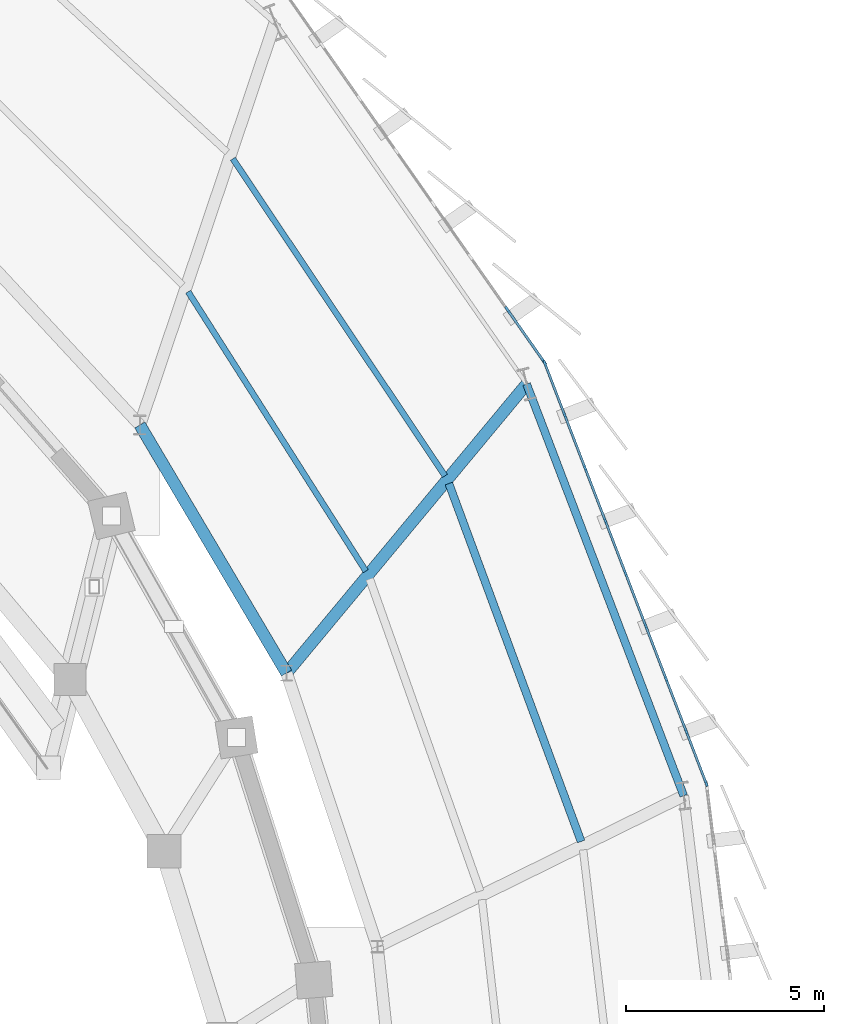
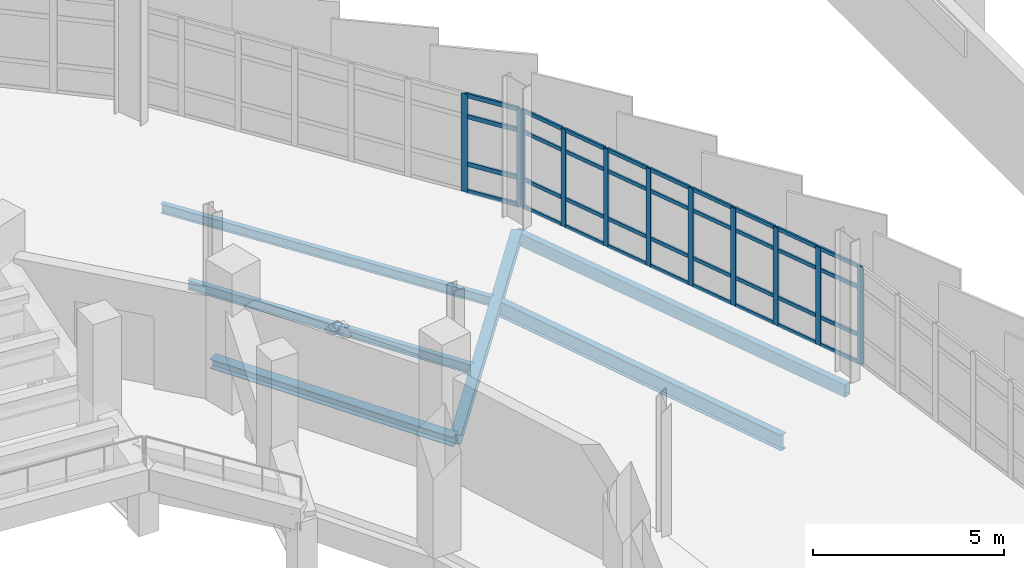
# One storey, part 68 of 120: 47 members, 6 beams, 2 elements without a shape of their own.
"""IFC4 building model written with IfcOpenShell, lengths in metres."""

from ifc_helpers import new_model, si_unit, direction, frame, origin, origin_2d, place, context, subcontext, project, spatial, rectangle, hollow_rectangle, i_section, extrude, material, layer, layer_set, material_profile, profile_set, type_object, element, aggregate, save


model = new_model("IFC4")

# Units and contexts
model_context = context("Model", 3, precision=1e-05, world=origin(), true_north=direction((0.0, 1.0)))
body_context = subcontext(model_context, "Body", "Model", "MODEL_VIEW")
ifc_project = project(units=[si_unit("LENGTHUNIT", "METRE"), si_unit("AREAUNIT", "SQUARE_METRE"), si_unit("VOLUMEUNIT", "CUBIC_METRE"), si_unit("PLANEANGLEUNIT", "RADIAN"), si_unit("MASSUNIT", "GRAM", prefix="KILO")], contexts=[model_context])

# Site, building, storey
site_placement = place(None, origin())
site = spatial("IfcSite", under=ifc_project, at=site_placement, CompositionType="ELEMENT")
building_placement = place(site_placement, origin())
building = spatial("IfcBuilding", under=site, at=building_placement, Name="Sohan Crest Arena", CompositionType="ELEMENT")
storey_placement = place(building_placement, frame((0.0, 0.0, 13.5)))
storey = spatial("IfcBuildingStorey", under=building, at=storey_placement, Name="L03", CompositionType="ELEMENT", Elevation=13.5)

# Curtain wall, members
ifc_material_1 = material(Name="Thermally broken anodised aluminium", Category="aluminium")
ifc_layer_1 = layer(ifc_material_1, 0.179931640625, Name="Thermally broken anodised aluminium")
ifc_layer_set_1 = layer_set([ifc_layer_1], Name="Thermally broken anodised aluminium")
curtain_wall_type_1 = type_object("IfcCurtainWallType", Name="ARC-CW01", PredefinedType="NOTDEFINED", material=ifc_layer_set_1)
curtain_wall_1_placement = place(storey_placement, origin())
curtain_wall_1 = element("IfcCurtainWall", 1, at=curtain_wall_1_placement, inside=storey, type_object=curtain_wall_type_1, Name="Unitised curtain wall CW-102", PredefinedType="NOTDEFINED")
ifc_material_profile_1 = material_profile(ifc_material_1, rectangle(XDim=0.06005859375, YDim=0.159912109375, at=origin_2d()), Name="ALU-MULL 60x160")
ifc_profile_set_1 = profile_set([ifc_material_profile_1], Name="Thermally broken anodised aluminium")
member_type_1 = type_object("IfcMemberType", Name="ARC-CW-ML01", PredefinedType="MULLION", material=ifc_profile_set_1)
member_1_placement = place(storey_placement, frame((187.295166015625, 89.382080078125, 0.0), z_axis=(0.0, 0.0, 1.0), x_axis=(-0.93347171007, -0.35865103722, 0.0)))
member_1 = element("IfcMember", 2, at=member_1_placement, type_object=member_type_1, Name="CW-102 mullion 1", PredefinedType="MULLION", context=body_context, shape_type="SweptSolid", body=[
    extrude(rectangle(XDim=0.06005859375, YDim=0.159912109375, at=origin_2d()), origin(), (0.0, 0.0, 1.0), 3.1201171875),
])
member_2_placement = place(storey_placement, frame((186.793212890625, 90.68896484375, 0.0), z_axis=(0.0, 0.0, 1.0), x_axis=(-0.93347171007, -0.35865103722, 0.0)))
member_2 = element("IfcMember", 3, at=member_2_placement, type_object=member_type_1, Name="CW-102 mullion 2", PredefinedType="MULLION", context=body_context, shape_type="SweptSolid", body=[
    extrude(rectangle(XDim=0.06005859375, YDim=0.159912109375, at=origin_2d()), origin(), (0.0, 0.0, 1.0), 3.1201171875),
])
member_3_placement = place(storey_placement, frame((186.2802734375, 92.023681640625, 0.0), z_axis=(0.0, 0.0, 1.0), x_axis=(-0.93347171007, -0.35865103722, 0.0)))
member_3 = element("IfcMember", 4, at=member_3_placement, type_object=member_type_1, Name="CW-102 mullion 3", PredefinedType="MULLION", context=body_context, shape_type="SweptSolid", body=[
    extrude(rectangle(XDim=0.06005859375, YDim=0.159912109375, at=origin_2d()), origin(), (0.0, 0.0, 1.0), 3.1201171875),
])
member_4_placement = place(storey_placement, frame((185.767333984375, 93.358642578125, 0.0), z_axis=(0.0, 0.0, 1.0), x_axis=(-0.93347171007, -0.35865103722, 0.0)))
member_4 = element("IfcMember", 5, at=member_4_placement, type_object=member_type_1, Name="CW-102 mullion 4", PredefinedType="MULLION", context=body_context, shape_type="SweptSolid", body=[
    extrude(rectangle(XDim=0.06005859375, YDim=0.159912109375, at=origin_2d()), origin(), (0.0, 0.0, 1.0), 3.1201171875),
])
member_5_placement = place(storey_placement, frame((185.25439453125, 94.693603515625, 0.0), z_axis=(0.0, 0.0, 1.0), x_axis=(-0.93347171007, -0.35865103722, 0.0)))
member_5 = element("IfcMember", 6, at=member_5_placement, type_object=member_type_1, Name="CW-102 mullion 5", PredefinedType="MULLION", context=body_context, shape_type="SweptSolid", body=[
    extrude(rectangle(XDim=0.06005859375, YDim=0.159912109375, at=origin_2d()), origin(), (0.0, 0.0, 1.0), 3.1201171875),
])
member_6_placement = place(storey_placement, frame((184.74169921875, 96.0283203125, 0.0), z_axis=(0.0, 0.0, 1.0), x_axis=(-0.93347171007, -0.35865103722, 0.0)))
member_6 = element("IfcMember", 7, at=member_6_placement, type_object=member_type_1, Name="CW-102 mullion 6", PredefinedType="MULLION", context=body_context, shape_type="SweptSolid", body=[
    extrude(rectangle(XDim=0.06005859375, YDim=0.159912109375, at=origin_2d()), origin(), (0.0, 0.0, 1.0), 3.1201171875),
])
member_7_placement = place(storey_placement, frame((184.228759765625, 97.36328125, 0.0), z_axis=(0.0, 0.0, 1.0), x_axis=(-0.93347171007, -0.35865103722, 0.0)))
member_7 = element("IfcMember", 8, at=member_7_placement, type_object=member_type_1, Name="CW-102 mullion 7", PredefinedType="MULLION", context=body_context, shape_type="SweptSolid", body=[
    extrude(rectangle(XDim=0.06005859375, YDim=0.159912109375, at=origin_2d()), origin(), (0.0, 0.0, 1.0), 3.1201171875),
])
member_8_placement = place(storey_placement, frame((183.7158203125, 98.6982421875, 0.0), z_axis=(0.0, 0.0, 1.0), x_axis=(-0.93347171007, -0.35865103722, 0.0)))
member_8 = element("IfcMember", 9, at=member_8_placement, type_object=member_type_1, Name="CW-102 mullion 8", PredefinedType="MULLION", context=body_context, shape_type="SweptSolid", body=[
    extrude(rectangle(XDim=0.06005859375, YDim=0.159912109375, at=origin_2d()), origin(), (0.0, 0.0, 1.0), 3.1201171875),
])
member_9_placement = place(storey_placement, frame((183.2138671875, 100.0048828125, 0.0), z_axis=(0.0, 0.0, 1.0), x_axis=(-0.93347171007, -0.35865103722, 0.0)))
member_9 = element("IfcMember", 10, at=member_9_placement, type_object=member_type_1, Name="CW-102 mullion 9", PredefinedType="MULLION", context=body_context, shape_type="SweptSolid", body=[
    extrude(rectangle(XDim=0.06005859375, YDim=0.159912109375, at=origin_2d()), origin(), (0.0, 0.0, 1.0), 3.1201171875),
])

ifc_layer_2 = layer(ifc_material_1, 0.199951171875, Name="Thermally broken anodised aluminium")
ifc_layer_set_2 = layer_set([ifc_layer_2], Name="Thermally broken anodised aluminium")
curtain_wall_type_2 = type_object("IfcCurtainWallType", Name="ARC-CW02", PredefinedType="NOTDEFINED", material=ifc_layer_set_2)
curtain_wall_2_placement = place(storey_placement, origin())
curtain_wall_2 = element("IfcCurtainWall", 11, at=curtain_wall_2_placement, inside=storey, type_object=curtain_wall_type_2, Name="Unitised curtain wall CW-103", PredefinedType="NOTDEFINED")
ifc_material_profile_2 = material_profile(ifc_material_1, rectangle(XDim=0.06494140625, YDim=0.179931640625, at=origin_2d()), Name="ALU-MULL 65x180")
ifc_profile_set_2 = profile_set([ifc_material_profile_2], Name="Thermally broken anodised aluminium")
member_type_2 = type_object("IfcMemberType", Name="ARC-CW-ML02", PredefinedType="MULLION", material=ifc_profile_set_2)
member_10_placement = place(storey_placement, frame((183.184326171875, 100.0595703125, 0.0), z_axis=(0.0, 0.0, 1.0), x_axis=(-0.818899102687, -0.573937504976, 0.0)))
member_10 = element("IfcMember", 12, at=member_10_placement, type_object=member_type_2, Name="CW-103 mullion 1", PredefinedType="MULLION", context=body_context, shape_type="SweptSolid", body=[
    extrude(rectangle(XDim=0.06494140625, YDim=0.179931640625, at=origin_2d()), origin(), (0.0, 0.0, 1.0), 3.1201171875),
])
member_11_placement = place(storey_placement, frame((182.26513671875, 101.37109375, 0.0), z_axis=(0.0, 0.0, 1.0), x_axis=(-0.818899102687, -0.573937504976, 0.0)))
member_11 = element("IfcMember", 13, at=member_11_placement, type_object=member_type_2, Name="CW-103 mullion 2", PredefinedType="MULLION", context=body_context, shape_type="SweptSolid", body=[
    extrude(rectangle(XDim=0.06494140625, YDim=0.179931640625, at=origin_2d()), origin(), (0.0, 0.0, 1.0), 3.1201171875),
])

# Member
ifc_material_profile_3 = material_profile(ifc_material_1, rectangle(XDim=0.06005859375, YDim=0.1201171875, at=origin_2d()), Name="ALU-TRAN 60x120")
ifc_profile_set_3 = profile_set([ifc_material_profile_3], Name="Thermally broken anodised aluminium")
member_type_3 = type_object("IfcMemberType", Name="ARC-CW-TR01", PredefinedType="USERDEFINED", material=ifc_profile_set_3)
member_12_placement = place(storey_placement, frame((187.284423828125, 89.409912109375, 0.030029296875), z_axis=(-0.358539542334, 0.933514540102, 0.0), x_axis=(-0.933514540102, -0.358539542334, 0.0)))
member_12 = element("IfcMember", 14, at=member_12_placement, type_object=member_type_3, Name="CW-102 transom 1.1", ObjectType="TRANSOM", PredefinedType="USERDEFINED", context=body_context, shape_type="SweptSolid", body=[
    extrude(rectangle(XDim=0.06005859375, YDim=0.1201171875, at=origin_2d()), origin(), (0.0, 0.0, 1.0), 1.340087890625),
])

member_13_placement = place(storey_placement, frame((187.284423828125, 89.409912109375, 0.89990234375), z_axis=(-0.358539542334, 0.933514540102, 0.0), x_axis=(-0.933514540102, -0.358539542334, 0.0)))
member_13 = element("IfcMember", 15, at=member_13_placement, type_object=member_type_3, Name="CW-102 transom 1.2", ObjectType="TRANSOM", PredefinedType="USERDEFINED", context=body_context, shape_type="SweptSolid", body=[
    extrude(rectangle(XDim=0.06005859375, YDim=0.1201171875, at=origin_2d()), origin(), (0.0, 0.0, 1.0), 1.340087890625),
])

member_14_placement = place(storey_placement, frame((187.284423828125, 89.409912109375, 2.419921875), z_axis=(-0.358539542334, 0.933514540102, 0.0), x_axis=(-0.933514540102, -0.358539542334, 0.0)))
member_14 = element("IfcMember", 16, at=member_14_placement, type_object=member_type_3, Name="CW-102 transom 1.3", ObjectType="TRANSOM", PredefinedType="USERDEFINED", context=body_context, shape_type="SweptSolid", body=[
    extrude(rectangle(XDim=0.06005859375, YDim=0.1201171875, at=origin_2d()), origin(), (0.0, 0.0, 1.0), 1.340087890625),
])

member_15_placement = place(storey_placement, frame((187.284423828125, 89.409912109375, 3.090087890625), z_axis=(-0.358539542334, 0.933514540102, 0.0), x_axis=(-0.933514540102, -0.358539542334, 0.0)))
member_15 = element("IfcMember", 17, at=member_15_placement, type_object=member_type_3, Name="CW-102 transom 1.4", ObjectType="TRANSOM", PredefinedType="USERDEFINED", context=body_context, shape_type="SweptSolid", body=[
    extrude(rectangle(XDim=0.06005859375, YDim=0.1201171875, at=origin_2d()), origin(), (0.0, 0.0, 1.0), 1.340087890625),
])

member_16_placement = place(storey_placement, frame((186.782470703125, 90.716796875, 0.030029296875), z_axis=(-0.358668628808, 0.933464950981, 0.0), x_axis=(-0.933464950981, -0.358668628808, 0.0)))
member_16 = element("IfcMember", 18, at=member_16_placement, type_object=member_type_3, Name="CW-102 transom 2.1", ObjectType="TRANSOM", PredefinedType="USERDEFINED", context=body_context, shape_type="SweptSolid", body=[
    extrude(rectangle(XDim=0.06005859375, YDim=0.1201171875, at=origin_2d()), origin(), (0.0, 0.0, 1.0), 1.3701171875),
])

member_17_placement = place(storey_placement, frame((186.782470703125, 90.716796875, 0.89990234375), z_axis=(-0.358668628808, 0.933464950981, 0.0), x_axis=(-0.933464950981, -0.358668628808, 0.0)))
member_17 = element("IfcMember", 19, at=member_17_placement, type_object=member_type_3, Name="CW-102 transom 2.2", ObjectType="TRANSOM", PredefinedType="USERDEFINED", context=body_context, shape_type="SweptSolid", body=[
    extrude(rectangle(XDim=0.06005859375, YDim=0.1201171875, at=origin_2d()), origin(), (0.0, 0.0, 1.0), 1.3701171875),
])

member_18_placement = place(storey_placement, frame((186.782470703125, 90.716796875, 2.419921875), z_axis=(-0.358668628808, 0.933464950981, 0.0), x_axis=(-0.933464950981, -0.358668628808, 0.0)))
member_18 = element("IfcMember", 20, at=member_18_placement, type_object=member_type_3, Name="CW-102 transom 2.3", ObjectType="TRANSOM", PredefinedType="USERDEFINED", context=body_context, shape_type="SweptSolid", body=[
    extrude(rectangle(XDim=0.06005859375, YDim=0.1201171875, at=origin_2d()), origin(), (0.0, 0.0, 1.0), 1.3701171875),
])

member_19_placement = place(storey_placement, frame((186.782470703125, 90.716796875, 3.090087890625), z_axis=(-0.358668628808, 0.933464950981, 0.0), x_axis=(-0.933464950981, -0.358668628808, 0.0)))
member_19 = element("IfcMember", 21, at=member_19_placement, type_object=member_type_3, Name="CW-102 transom 2.4", ObjectType="TRANSOM", PredefinedType="USERDEFINED", context=body_context, shape_type="SweptSolid", body=[
    extrude(rectangle(XDim=0.06005859375, YDim=0.1201171875, at=origin_2d()), origin(), (0.0, 0.0, 1.0), 1.3701171875),
])

member_20_placement = place(storey_placement, frame((186.26953125, 92.0517578125, 0.030029296875), z_axis=(-0.358728292198, 0.933442024111, 0.0), x_axis=(-0.933442024111, -0.358728292198, 0.0)))
member_20 = element("IfcMember", 22, at=member_20_placement, type_object=member_type_3, Name="CW-102 transom 3.1", ObjectType="TRANSOM", PredefinedType="USERDEFINED", context=body_context, shape_type="SweptSolid", body=[
    extrude(rectangle(XDim=0.06005859375, YDim=0.1201171875, at=origin_2d()), origin(), (0.0, 0.0, 1.0), 1.369873046875),
])

member_21_placement = place(storey_placement, frame((186.26953125, 92.0517578125, 0.89990234375), z_axis=(-0.358728292198, 0.933442024111, 0.0), x_axis=(-0.933442024111, -0.358728292198, 0.0)))
member_21 = element("IfcMember", 23, at=member_21_placement, type_object=member_type_3, Name="CW-102 transom 3.2", ObjectType="TRANSOM", PredefinedType="USERDEFINED", context=body_context, shape_type="SweptSolid", body=[
    extrude(rectangle(XDim=0.06005859375, YDim=0.1201171875, at=origin_2d()), origin(), (0.0, 0.0, 1.0), 1.369873046875),
])

member_22_placement = place(storey_placement, frame((186.26953125, 92.0517578125, 2.419921875), z_axis=(-0.358728292198, 0.933442024111, 0.0), x_axis=(-0.933442024111, -0.358728292198, 0.0)))
member_22 = element("IfcMember", 24, at=member_22_placement, type_object=member_type_3, Name="CW-102 transom 3.3", ObjectType="TRANSOM", PredefinedType="USERDEFINED", context=body_context, shape_type="SweptSolid", body=[
    extrude(rectangle(XDim=0.06005859375, YDim=0.1201171875, at=origin_2d()), origin(), (0.0, 0.0, 1.0), 1.369873046875),
])

member_23_placement = place(storey_placement, frame((186.26953125, 92.0517578125, 3.090087890625), z_axis=(-0.358728292198, 0.933442024111, 0.0), x_axis=(-0.933442024111, -0.358728292198, 0.0)))
member_23 = element("IfcMember", 25, at=member_23_placement, type_object=member_type_3, Name="CW-102 transom 3.4", ObjectType="TRANSOM", PredefinedType="USERDEFINED", context=body_context, shape_type="SweptSolid", body=[
    extrude(rectangle(XDim=0.06005859375, YDim=0.1201171875, at=origin_2d()), origin(), (0.0, 0.0, 1.0), 1.369873046875),
])

member_24_placement = place(storey_placement, frame((185.756591796875, 93.38671875, 0.030029296875), z_axis=(-0.358573004092, 0.933501687592, 0.0), x_axis=(-0.933501687592, -0.358573004092, 0.0)))
member_24 = element("IfcMember", 26, at=member_24_placement, type_object=member_type_3, Name="CW-102 transom 4.1", ObjectType="TRANSOM", PredefinedType="USERDEFINED", context=body_context, shape_type="SweptSolid", body=[
    extrude(rectangle(XDim=0.06005859375, YDim=0.1201171875, at=origin_2d()), origin(), (0.0, 0.0, 1.0), 1.369873046875),
])

member_25_placement = place(storey_placement, frame((185.756591796875, 93.38671875, 0.89990234375), z_axis=(-0.358573004092, 0.933501687592, 0.0), x_axis=(-0.933501687592, -0.358573004092, 0.0)))
member_25 = element("IfcMember", 27, at=member_25_placement, type_object=member_type_3, Name="CW-102 transom 4.2", ObjectType="TRANSOM", PredefinedType="USERDEFINED", context=body_context, shape_type="SweptSolid", body=[
    extrude(rectangle(XDim=0.06005859375, YDim=0.1201171875, at=origin_2d()), origin(), (0.0, 0.0, 1.0), 1.369873046875),
])

member_26_placement = place(storey_placement, frame((185.756591796875, 93.38671875, 2.419921875), z_axis=(-0.358573004092, 0.933501687592, 0.0), x_axis=(-0.933501687592, -0.358573004092, 0.0)))
member_26 = element("IfcMember", 28, at=member_26_placement, type_object=member_type_3, Name="CW-102 transom 4.3", ObjectType="TRANSOM", PredefinedType="USERDEFINED", context=body_context, shape_type="SweptSolid", body=[
    extrude(rectangle(XDim=0.06005859375, YDim=0.1201171875, at=origin_2d()), origin(), (0.0, 0.0, 1.0), 1.369873046875),
])

member_27_placement = place(storey_placement, frame((185.756591796875, 93.38671875, 3.090087890625), z_axis=(-0.358573004092, 0.933501687592, 0.0), x_axis=(-0.933501687592, -0.358573004092, 0.0)))
member_27 = element("IfcMember", 29, at=member_27_placement, type_object=member_type_3, Name="CW-102 transom 4.4", ObjectType="TRANSOM", PredefinedType="USERDEFINED", context=body_context, shape_type="SweptSolid", body=[
    extrude(rectangle(XDim=0.06005859375, YDim=0.1201171875, at=origin_2d()), origin(), (0.0, 0.0, 1.0), 1.369873046875),
])

member_28_placement = place(storey_placement, frame((185.24365234375, 94.721435546875, 0.030029296875), z_axis=(-0.358513358907, 0.93352459608, 0.0), x_axis=(-0.93352459608, -0.358513358907, 0.0)))
member_28 = element("IfcMember", 30, at=member_28_placement, type_object=member_type_3, Name="CW-102 transom 5.1", ObjectType="TRANSOM", PredefinedType="USERDEFINED", context=body_context, shape_type="SweptSolid", body=[
    extrude(rectangle(XDim=0.06005859375, YDim=0.1201171875, at=origin_2d()), origin(), (0.0, 0.0, 1.0), 1.3701171875),
])

member_29_placement = place(storey_placement, frame((185.24365234375, 94.721435546875, 0.89990234375), z_axis=(-0.358513358907, 0.93352459608, 0.0), x_axis=(-0.93352459608, -0.358513358907, 0.0)))
member_29 = element("IfcMember", 31, at=member_29_placement, type_object=member_type_3, Name="CW-102 transom 5.2", ObjectType="TRANSOM", PredefinedType="USERDEFINED", context=body_context, shape_type="SweptSolid", body=[
    extrude(rectangle(XDim=0.06005859375, YDim=0.1201171875, at=origin_2d()), origin(), (0.0, 0.0, 1.0), 1.3701171875),
])

member_30_placement = place(storey_placement, frame((185.24365234375, 94.721435546875, 2.419921875), z_axis=(-0.358513358907, 0.93352459608, 0.0), x_axis=(-0.93352459608, -0.358513358907, 0.0)))
member_30 = element("IfcMember", 32, at=member_30_placement, type_object=member_type_3, Name="CW-102 transom 5.3", ObjectType="TRANSOM", PredefinedType="USERDEFINED", context=body_context, shape_type="SweptSolid", body=[
    extrude(rectangle(XDim=0.06005859375, YDim=0.1201171875, at=origin_2d()), origin(), (0.0, 0.0, 1.0), 1.3701171875),
])

member_31_placement = place(storey_placement, frame((185.24365234375, 94.721435546875, 3.090087890625), z_axis=(-0.358513358907, 0.93352459608, 0.0), x_axis=(-0.93352459608, -0.358513358907, 0.0)))
member_31 = element("IfcMember", 33, at=member_31_placement, type_object=member_type_3, Name="CW-102 transom 5.4", ObjectType="TRANSOM", PredefinedType="USERDEFINED", context=body_context, shape_type="SweptSolid", body=[
    extrude(rectangle(XDim=0.06005859375, YDim=0.1201171875, at=origin_2d()), origin(), (0.0, 0.0, 1.0), 1.3701171875),
])

member_32_placement = place(storey_placement, frame((184.73095703125, 96.056396484375, 0.030029296875), z_axis=(-0.358728292198, 0.933442024111, 0.0), x_axis=(-0.933442024111, -0.358728292198, 0.0)))
member_32 = element("IfcMember", 34, at=member_32_placement, type_object=member_type_3, Name="CW-102 transom 6.1", ObjectType="TRANSOM", PredefinedType="USERDEFINED", context=body_context, shape_type="SweptSolid", body=[
    extrude(rectangle(XDim=0.06005859375, YDim=0.1201171875, at=origin_2d()), origin(), (0.0, 0.0, 1.0), 1.369873046875),
])

member_33_placement = place(storey_placement, frame((184.73095703125, 96.056396484375, 0.89990234375), z_axis=(-0.358728292198, 0.933442024111, 0.0), x_axis=(-0.933442024111, -0.358728292198, 0.0)))
member_33 = element("IfcMember", 35, at=member_33_placement, type_object=member_type_3, Name="CW-102 transom 6.2", ObjectType="TRANSOM", PredefinedType="USERDEFINED", context=body_context, shape_type="SweptSolid", body=[
    extrude(rectangle(XDim=0.06005859375, YDim=0.1201171875, at=origin_2d()), origin(), (0.0, 0.0, 1.0), 1.369873046875),
])

member_34_placement = place(storey_placement, frame((184.73095703125, 96.056396484375, 2.419921875), z_axis=(-0.358728292198, 0.933442024111, 0.0), x_axis=(-0.933442024111, -0.358728292198, 0.0)))
member_34 = element("IfcMember", 36, at=member_34_placement, type_object=member_type_3, Name="CW-102 transom 6.3", ObjectType="TRANSOM", PredefinedType="USERDEFINED", context=body_context, shape_type="SweptSolid", body=[
    extrude(rectangle(XDim=0.06005859375, YDim=0.1201171875, at=origin_2d()), origin(), (0.0, 0.0, 1.0), 1.369873046875),
])

member_35_placement = place(storey_placement, frame((184.73095703125, 96.056396484375, 3.090087890625), z_axis=(-0.358728292198, 0.933442024111, 0.0), x_axis=(-0.933442024111, -0.358728292198, 0.0)))
member_35 = element("IfcMember", 37, at=member_35_placement, type_object=member_type_3, Name="CW-102 transom 6.4", ObjectType="TRANSOM", PredefinedType="USERDEFINED", context=body_context, shape_type="SweptSolid", body=[
    extrude(rectangle(XDim=0.06005859375, YDim=0.1201171875, at=origin_2d()), origin(), (0.0, 0.0, 1.0), 1.369873046875),
])

member_36_placement = place(storey_placement, frame((184.218017578125, 97.391357421875, 0.030029296875), z_axis=(-0.358728292198, 0.933442024111, 0.0), x_axis=(-0.933442024111, -0.358728292198, 0.0)))
member_36 = element("IfcMember", 38, at=member_36_placement, type_object=member_type_3, Name="CW-102 transom 7.1", ObjectType="TRANSOM", PredefinedType="USERDEFINED", context=body_context, shape_type="SweptSolid", body=[
    extrude(rectangle(XDim=0.06005859375, YDim=0.1201171875, at=origin_2d()), origin(), (0.0, 0.0, 1.0), 1.369873046875),
])

member_37_placement = place(storey_placement, frame((184.218017578125, 97.391357421875, 0.89990234375), z_axis=(-0.358728292198, 0.933442024111, 0.0), x_axis=(-0.933442024111, -0.358728292198, 0.0)))
member_37 = element("IfcMember", 39, at=member_37_placement, type_object=member_type_3, Name="CW-102 transom 7.2", ObjectType="TRANSOM", PredefinedType="USERDEFINED", context=body_context, shape_type="SweptSolid", body=[
    extrude(rectangle(XDim=0.06005859375, YDim=0.1201171875, at=origin_2d()), origin(), (0.0, 0.0, 1.0), 1.369873046875),
])

member_38_placement = place(storey_placement, frame((184.218017578125, 97.391357421875, 2.419921875), z_axis=(-0.358728292198, 0.933442024111, 0.0), x_axis=(-0.933442024111, -0.358728292198, 0.0)))
member_38 = element("IfcMember", 40, at=member_38_placement, type_object=member_type_3, Name="CW-102 transom 7.3", ObjectType="TRANSOM", PredefinedType="USERDEFINED", context=body_context, shape_type="SweptSolid", body=[
    extrude(rectangle(XDim=0.06005859375, YDim=0.1201171875, at=origin_2d()), origin(), (0.0, 0.0, 1.0), 1.369873046875),
])

member_39_placement = place(storey_placement, frame((184.218017578125, 97.391357421875, 3.090087890625), z_axis=(-0.358728292198, 0.933442024111, 0.0), x_axis=(-0.933442024111, -0.358728292198, 0.0)))
member_39 = element("IfcMember", 41, at=member_39_placement, type_object=member_type_3, Name="CW-102 transom 7.4", ObjectType="TRANSOM", PredefinedType="USERDEFINED", context=body_context, shape_type="SweptSolid", body=[
    extrude(rectangle(XDim=0.06005859375, YDim=0.1201171875, at=origin_2d()), origin(), (0.0, 0.0, 1.0), 1.369873046875),
])

member_40_placement = place(storey_placement, frame((183.705078125, 98.72607421875, 0.030029296875), z_axis=(-0.358539542334, 0.933514540102, 0.0), x_axis=(-0.933514540102, -0.358539542334, 0.0)))
member_40 = element("IfcMember", 42, at=member_40_placement, type_object=member_type_3, Name="CW-102 transom 8.1", ObjectType="TRANSOM", PredefinedType="USERDEFINED", context=body_context, shape_type="SweptSolid", body=[
    extrude(rectangle(XDim=0.06005859375, YDim=0.1201171875, at=origin_2d()), origin(), (0.0, 0.0, 1.0), 1.340087890625),
])

member_41_placement = place(storey_placement, frame((183.705078125, 98.72607421875, 0.89990234375), z_axis=(-0.358539542334, 0.933514540102, 0.0), x_axis=(-0.933514540102, -0.358539542334, 0.0)))
member_41 = element("IfcMember", 43, at=member_41_placement, type_object=member_type_3, Name="CW-102 transom 8.2", ObjectType="TRANSOM", PredefinedType="USERDEFINED", context=body_context, shape_type="SweptSolid", body=[
    extrude(rectangle(XDim=0.06005859375, YDim=0.1201171875, at=origin_2d()), origin(), (0.0, 0.0, 1.0), 1.340087890625),
])

member_42_placement = place(storey_placement, frame((183.705078125, 98.72607421875, 2.419921875), z_axis=(-0.358539542334, 0.933514540102, 0.0), x_axis=(-0.933514540102, -0.358539542334, 0.0)))
member_42 = element("IfcMember", 44, at=member_42_placement, type_object=member_type_3, Name="CW-102 transom 8.3", ObjectType="TRANSOM", PredefinedType="USERDEFINED", context=body_context, shape_type="SweptSolid", body=[
    extrude(rectangle(XDim=0.06005859375, YDim=0.1201171875, at=origin_2d()), origin(), (0.0, 0.0, 1.0), 1.340087890625),
])

member_43_placement = place(storey_placement, frame((183.705078125, 98.72607421875, 3.090087890625), z_axis=(-0.358539542334, 0.933514540102, 0.0), x_axis=(-0.933514540102, -0.358539542334, 0.0)))
member_43 = element("IfcMember", 45, at=member_43_placement, type_object=member_type_3, Name="CW-102 transom 8.4", ObjectType="TRANSOM", PredefinedType="USERDEFINED", context=body_context, shape_type="SweptSolid", body=[
    extrude(rectangle(XDim=0.06005859375, YDim=0.1201171875, at=origin_2d()), origin(), (0.0, 0.0, 1.0), 1.340087890625),
])

aggregate(curtain_wall_1, [member_1, member_2, member_3, member_4, member_5, member_6, member_7, member_8, member_9, member_12, member_13, member_14, member_15, member_16, member_17, member_18, member_19, member_20, member_21, member_22, member_23, member_24, member_25, member_26, member_27, member_28, member_29, member_30, member_31, member_32, member_33, member_34, member_35, member_36, member_37, member_38, member_39, member_40, member_41, member_42, member_43])

ifc_material_profile_4 = material_profile(ifc_material_1, rectangle(XDim=0.06494140625, YDim=0.139892578125, at=origin_2d()), Name="ALU-TRAN 65x140")
ifc_profile_set_4 = profile_set([ifc_material_profile_4], Name="Thermally broken anodised aluminium")
member_type_4 = type_object("IfcMemberType", Name="ARC-CW-TR02", PredefinedType="USERDEFINED", material=ifc_profile_set_4)
member_44_placement = place(storey_placement, frame((183.165771484375, 100.086181640625, 0.032470703125), z_axis=(-0.574016677365, 0.818843607844, 0.0), x_axis=(-0.818843607844, -0.574016677365, 0.0)))
member_44 = element("IfcMember", 46, at=member_44_placement, type_object=member_type_4, Name="CW-103 transom 1.1", ObjectType="TRANSOM", PredefinedType="USERDEFINED", context=body_context, shape_type="SweptSolid", body=[
    extrude(rectangle(XDim=0.06494140625, YDim=0.139892578125, at=origin_2d()), origin(), (0.0, 0.0, 1.0), 1.53662109375),
])

member_45_placement = place(storey_placement, frame((183.165771484375, 100.086181640625, 0.89990234375), z_axis=(-0.574016677365, 0.818843607844, 0.0), x_axis=(-0.818843607844, -0.574016677365, 0.0)))
member_45 = element("IfcMember", 47, at=member_45_placement, type_object=member_type_4, Name="CW-103 transom 1.2", ObjectType="TRANSOM", PredefinedType="USERDEFINED", context=body_context, shape_type="SweptSolid", body=[
    extrude(rectangle(XDim=0.06494140625, YDim=0.139892578125, at=origin_2d()), origin(), (0.0, 0.0, 1.0), 1.53662109375),
])

member_46_placement = place(storey_placement, frame((183.165771484375, 100.086181640625, 2.419921875), z_axis=(-0.574016677365, 0.818843607844, 0.0), x_axis=(-0.818843607844, -0.574016677365, 0.0)))
member_46 = element("IfcMember", 48, at=member_46_placement, type_object=member_type_4, Name="CW-103 transom 1.3", ObjectType="TRANSOM", PredefinedType="USERDEFINED", context=body_context, shape_type="SweptSolid", body=[
    extrude(rectangle(XDim=0.06494140625, YDim=0.139892578125, at=origin_2d()), origin(), (0.0, 0.0, 1.0), 1.53662109375),
])

member_47_placement = place(storey_placement, frame((183.165771484375, 100.086181640625, 3.08740234375), z_axis=(-0.574016677365, 0.818843607844, 0.0), x_axis=(-0.818843607844, -0.574016677365, 0.0)))
member_47 = element("IfcMember", 49, at=member_47_placement, type_object=member_type_4, Name="CW-103 transom 1.4", ObjectType="TRANSOM", PredefinedType="USERDEFINED", context=body_context, shape_type="SweptSolid", body=[
    extrude(rectangle(XDim=0.06494140625, YDim=0.139892578125, at=origin_2d()), origin(), (0.0, 0.0, 1.0), 1.53662109375),
])

aggregate(curtain_wall_2, [member_10, member_11, member_44, member_45, member_46, member_47])

# Beams
ifc_material_2 = material(Name="Steel S355", Category="steel")
ifc_material_profile_5 = material_profile(ifc_material_2, i_section(OverallWidth=0.14990234375, OverallDepth=0.300048828125, WebThickness=0.007080078125, FlangeThickness=0.0107421875, at=origin_2d()), Name="IPE 300")
ifc_profile_set_5 = profile_set([ifc_material_profile_5], Name="Steel S355")
beam_type_1 = type_object("IfcBeamType", Name="STR-BM-B01", PredefinedType="JOIST", material=ifc_profile_set_5)
beam_1_placement = place(storey_placement, frame((178.679931640625, 94.7548828125, -0.39990234375), z_axis=(-0.536679400997, 0.843786241027, 0.0), x_axis=(-0.843786241027, -0.536679400997, 0.0)))
element("IfcBeam", 50, at=beam_1_placement, inside=storey, type_object=beam_type_1, Name="Structural beam J-L03-1513", PredefinedType="JOIST", context=body_context, shape_type="SweptSolid", body=[
    extrude(i_section(OverallWidth=0.14990234375, OverallDepth=0.300048828125, WebThickness=0.007080078125, FlangeThickness=0.0107421875, at=origin_2d()), origin(), (0.0, 0.0, 1.0), 8.37890625),
])
beam_2_placement = place(storey_placement, frame((180.68310546875, 97.166015625, -0.39990234375), z_axis=(-0.556006645923, 0.831177844802, 0.0), x_axis=(-0.831177844802, -0.556006645923, 0.0)))
element("IfcBeam", 51, at=beam_2_placement, inside=storey, type_object=beam_type_1, Name="Structural beam J-L03-1514", PredefinedType="JOIST", context=body_context, shape_type="SweptSolid", body=[
    extrude(i_section(OverallWidth=0.14990234375, OverallDepth=0.300048828125, WebThickness=0.007080078125, FlangeThickness=0.0107421875, at=origin_2d()), origin(), (0.0, 0.0, 1.0), 9.65478515625),
])
ifc_material_profile_6 = material_profile(ifc_material_2, i_section(OverallWidth=0.199951171875, OverallDepth=0.5, WebThickness=0.01025390625, FlangeThickness=0.01611328125, at=origin_2d()), Name="IPE 500")
ifc_profile_set_6 = profile_set([ifc_material_profile_6], Name="Steel S355")
beam_type_2 = type_object("IfcBeamType", Name="STR-BM-B05", PredefinedType="JOIST", material=ifc_profile_set_6)
beam_3_placement = place(storey_placement, frame((184.12890625, 87.9130859375, -0.5), z_axis=(-0.346567455642, 0.938025052272, 0.0), x_axis=(-0.938025052272, -0.346567455642, 0.0)))
element("IfcBeam", 52, at=beam_3_placement, inside=storey, type_object=beam_type_2, Name="Structural beam J-L03-1509", PredefinedType="JOIST", context=body_context, shape_type="SweptSolid", body=[
    extrude(i_section(OverallWidth=0.199951171875, OverallDepth=0.5, WebThickness=0.01025390625, FlangeThickness=0.01611328125, at=origin_2d()), origin(), (0.0, 0.0, 1.0), 9.657470703125),
])
ifc_material_profile_7 = material_profile(ifc_material_2, i_section(OverallWidth=0.300048828125, OverallDepth=0.300048828125, WebThickness=0.010986328125, FlangeThickness=0.01904296875, at=origin_2d()), Name="HEB 300")
ifc_profile_set_7 = profile_set([ifc_material_profile_7], Name="Steel S355")
beam_type_3 = type_object("IfcBeamType", Name="STR-BM-B12", PredefinedType="BEAM", material=ifc_profile_set_7)
beam_4_placement = place(storey_placement, frame((176.674072265625, 92.175048828125, -0.39990234375), z_axis=(0.638940924568, 0.7692558059, 0.0), x_axis=(-0.7692558059, 0.638940924568, 0.0)))
element("IfcBeam", 53, at=beam_4_placement, inside=storey, type_object=beam_type_3, Name="Structural beam G-L03-1510", PredefinedType="BEAM", context=body_context, shape_type="SweptSolid", body=[
    extrude(i_section(OverallWidth=0.300048828125, OverallDepth=0.300048828125, WebThickness=0.010986328125, FlangeThickness=0.01904296875, at=origin_2d()), origin(), (0.0, 0.0, 1.0), 9.5078125),
])
beam_5_placement = place(storey_placement, frame((176.674072265625, 92.175048828125, -0.39990234375), z_axis=(-0.509085626747, 0.860715879161, 0.0), x_axis=(-0.860715879161, -0.509085626747, 0.0)))
element("IfcBeam", 54, at=beam_5_placement, inside=storey, type_object=beam_type_3, Name="Structural beam G-L03-1511", PredefinedType="BEAM", context=body_context, shape_type="SweptSolid", body=[
    extrude(i_section(OverallWidth=0.300048828125, OverallDepth=0.300048828125, WebThickness=0.010986328125, FlangeThickness=0.01904296875, at=origin_2d()), origin(), (0.0, 0.0, 1.0), 7.293701171875),
])
ifc_material_profile_8 = material_profile(ifc_material_2, hollow_rectangle(XDim=0.199951171875, YDim=0.39990234375, WallThickness=0.012451171875, at=origin_2d()), Name="RHS 400x200x12.5")
ifc_profile_set_8 = profile_set([ifc_material_profile_8], Name="Steel S355")
beam_type_4 = type_object("IfcBeamType", Name="STR-BM-SP05", PredefinedType="SPANDREL", material=ifc_profile_set_8)
beam_6_placement = place(storey_placement, frame((186.72509765625, 89.070068359375, -0.449951171875), z_axis=(-0.356539672716, 0.934280183767, 0.0), x_axis=(-0.934280183767, -0.356539672716, 0.0)))
element("IfcBeam", 55, at=beam_6_placement, inside=storey, type_object=beam_type_4, Name="Structural beam SP-L03-1507", PredefinedType="SPANDREL", context=body_context, shape_type="SweptSolid", body=[
    extrude(hollow_rectangle(XDim=0.199951171875, YDim=0.39990234375, WallThickness=0.012451171875, at=origin_2d()), origin(), (0.0, 0.0, 1.0), 11.15185546875),
])

save(model, "model.ifc")
